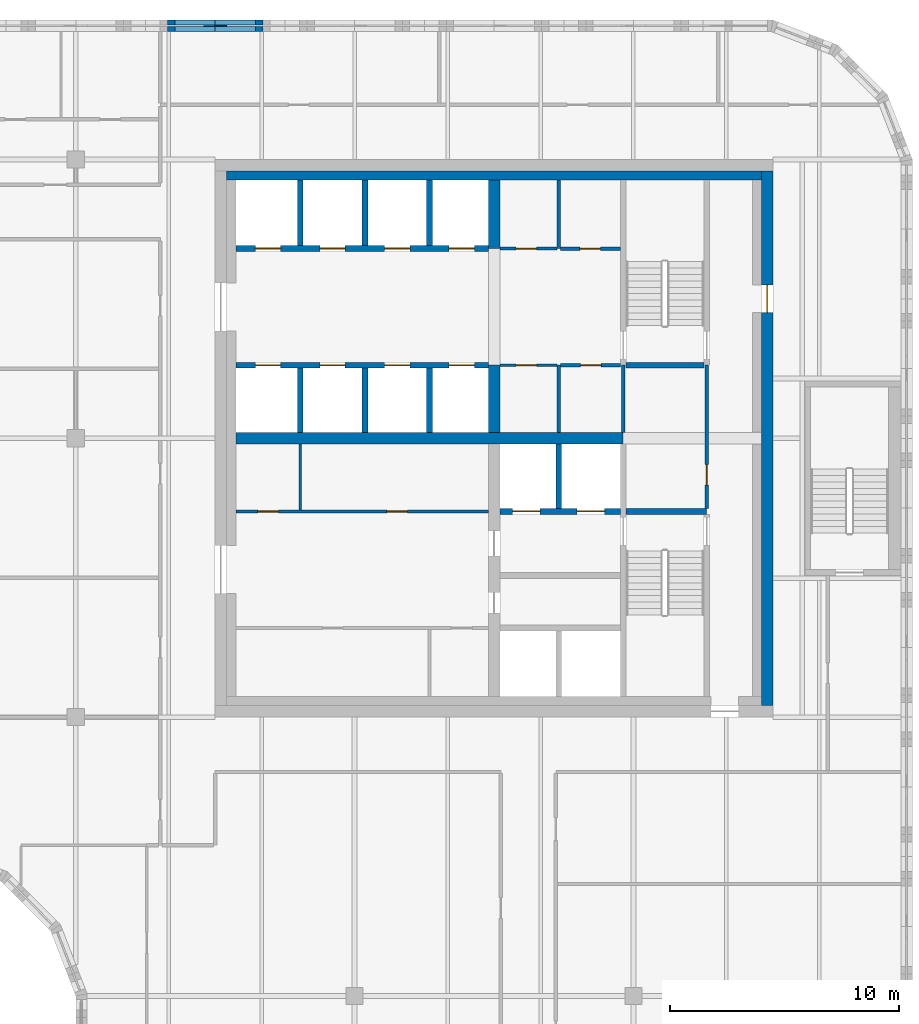
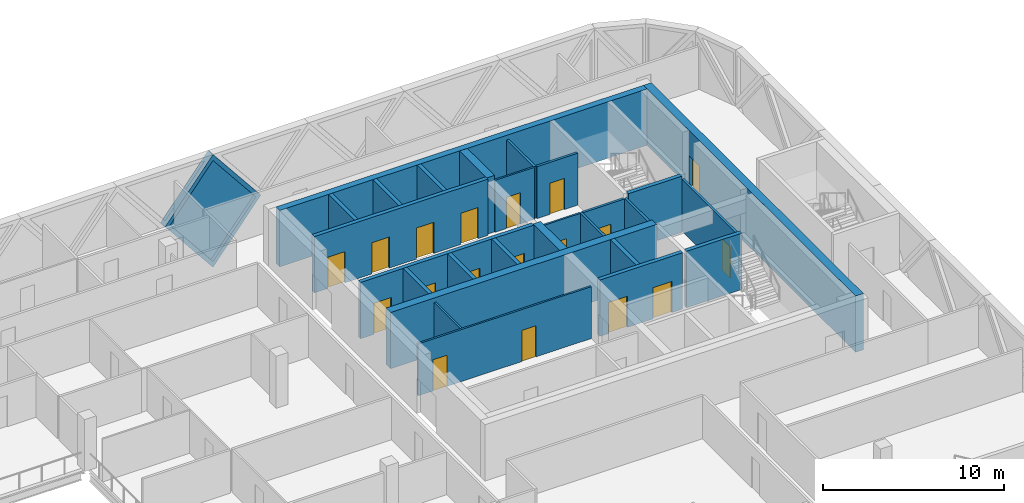
# One storey, part 11 of 15: 28 walls, 18 doors, 1 plate, 19 openings.
"""IFC4 building model written with IfcOpenShell, lengths in metres."""

from ifc_helpers import new_model, si_unit, direction, frame, frame_2d, origin, place, context, subcontext, project, spatial, polyline, rectangle, outline, extrude, source, transform, mapped, material, layer, layer_set, type_object, element, fill, save


model = new_model("IFC4")

# Units and contexts
model_context = context("Model", 3, precision=1e-05, world=origin(), true_north=direction((0.0, 1.0)))
body_context = subcontext(model_context, "Body", "Model", "MODEL_VIEW")
ifc_project = project(units=[si_unit("LENGTHUNIT", "METRE"), si_unit("AREAUNIT", "SQUARE_METRE"), si_unit("VOLUMEUNIT", "CUBIC_METRE"), si_unit("PLANEANGLEUNIT", "RADIAN"), si_unit("MASSUNIT", "GRAM", prefix="KILO")], contexts=[model_context])

# Site, building, storey
site_placement = place(None, origin())
site = spatial("IfcSite", under=ifc_project, at=site_placement, CompositionType="ELEMENT")
building_placement = place(site_placement, origin())
building = spatial("IfcBuilding", under=site, at=building_placement, Name="Tessera Gate Towers", CompositionType="ELEMENT")
storey_placement = place(building_placement, frame((0.0, 0.0, 228.300048828125)))
storey = spatial("IfcBuildingStorey", under=building, at=storey_placement, Name="L57", CompositionType="ELEMENT", Elevation=228.300048828125)

# Wall, openings, doors
ifc_material_1 = material(Name="Concrete C40/50", Category="concrete")
ifc_layer_1 = layer(ifc_material_1, 0.25)
ifc_layer_set_1 = layer_set([ifc_layer_1], Name="CORE ENCLOSURE WALL 250")
wall_type_1 = type_object("IfcWallType", Name="CORE ENCLOSURE WALL 250", PredefinedType="SOLIDWALL", material=ifc_layer_set_1)
wall_1_placement = place(storey_placement, frame((31.39990234375, 39.800048828125, 0.0), z_axis=(0.0, 0.0, 1.0), x_axis=(1.0, 0.0, 0.0)))
wall_1 = element("IfcWall", 1, at=wall_1_placement, inside=storey, type_object=wall_type_1, Name="L57 shaft and stair enclosure wall", PredefinedType="SOLIDWALL", context=body_context, shape_type="SweptSolid", body=[
    extrude(rectangle(XDim=11.050048828125, YDim=0.25, at=frame_2d((5.52490234375, 0.0))), origin(), (0.0, 0.0, 1.0), 3.800048828125),
])
shared_shape_1 = source(origin(), body_context, "Body", "SweptSolid", [
    extrude(rectangle(XDim=1.10009765625, YDim=2.10009765625, at=frame_2d((0.550048828125, 1.050048828125))), frame((0.0, 0.135009765625, 0.0), z_axis=(0.0, -1.0, 0.0), x_axis=(1.0, 0.0, 0.0)), (0.0, 0.0, 1.0), 0.27001953125),
])
opening_1_placement = place(wall_1_placement, frame((0.862548828125, 0.0, 0.0)))
opening_1 = element("IfcOpeningElement", 2, at=opening_1_placement, cuts=wall_1, Name="Opening LD-HR1", PredefinedType="OPENING", context=body_context, shape_type="MappedRepresentation", body=[
    mapped(shared_shape_1, transform((0.0, 0.0, 0.0), scale=1.0)),
])
opening_2_placement = place(wall_1_placement, frame((3.6875, 0.0, 0.0)))
opening_2 = element("IfcOpeningElement", 3, at=opening_2_placement, cuts=wall_1, Name="Opening LD-HR2", PredefinedType="OPENING", context=body_context, shape_type="MappedRepresentation", body=[
    mapped(shared_shape_1, transform((0.0, 0.0, 0.0), scale=1.0)),
])
opening_3_placement = place(wall_1_placement, frame((6.512451171875, 0.0, 0.0)))
opening_3 = element("IfcOpeningElement", 4, at=opening_3_placement, cuts=wall_1, Name="Opening LD-HR3", PredefinedType="OPENING", context=body_context, shape_type="MappedRepresentation", body=[
    mapped(shared_shape_1, transform((0.0, 0.0, 0.0), scale=1.0)),
])
opening_4_placement = place(wall_1_placement, frame((9.33740234375, 0.0, 0.0)))
opening_4 = element("IfcOpeningElement", 5, at=opening_4_placement, cuts=wall_1, Name="Opening LD-HR4", PredefinedType="OPENING", context=body_context, shape_type="MappedRepresentation", body=[
    mapped(shared_shape_1, transform((0.0, 0.0, 0.0), scale=1.0)),
])
ifc_material_2 = material(Name="Stainless steel", Category="steel")
door_type_1 = type_object("IfcDoorType", Name="CORE DOOR LD 1100x2100", OperationType="DOUBLE_DOOR_SLIDING", PredefinedType="DOOR", material=ifc_material_2)
shared_shape_2 = source(origin(), body_context, "Body", "SweptSolid", [
    extrude(rectangle(XDim=1.10009765625, YDim=2.10009765625, at=frame_2d((0.550048828125, 1.050048828125))), frame((0.0, 0.02490234375, 0.0), z_axis=(0.0, -1.0, 0.0), x_axis=(1.0, 0.0, 0.0)), (0.0, 0.0, 1.0), 0.050048828125),
])
door_1_placement = place(opening_1_placement, origin())
door_1 = element("IfcDoor", 6, at=door_1_placement, inside=storey, type_object=door_type_1, Name="Landing door HR1 L57", OperationType="DOUBLE_DOOR_SLIDING", OverallHeight=2.10009765625, OverallWidth=1.10009765625, PredefinedType="DOOR", context=body_context, shape_type="MappedRepresentation", body=[
    mapped(shared_shape_2, transform((0.0, 0.0, 0.0), scale=1.0)),
])
fill(opening_1, door_1)
door_2_placement = place(opening_2_placement, origin())
door_2 = element("IfcDoor", 7, at=door_2_placement, inside=storey, type_object=door_type_1, Name="Landing door HR2 L57", OperationType="DOUBLE_DOOR_SLIDING", OverallHeight=2.10009765625, OverallWidth=1.10009765625, PredefinedType="DOOR", context=body_context, shape_type="MappedRepresentation", body=[
    mapped(shared_shape_2, transform((0.0, 0.0, 0.0), scale=1.0)),
])
fill(opening_2, door_2)
door_3_placement = place(opening_3_placement, origin())
door_3 = element("IfcDoor", 8, at=door_3_placement, inside=storey, type_object=door_type_1, Name="Landing door HR3 L57", OperationType="DOUBLE_DOOR_SLIDING", OverallHeight=2.10009765625, OverallWidth=1.10009765625, PredefinedType="DOOR", context=body_context, shape_type="MappedRepresentation", body=[
    mapped(shared_shape_2, transform((0.0, 0.0, 0.0), scale=1.0)),
])
fill(opening_3, door_3)
door_4_placement = place(opening_4_placement, origin())
door_4 = element("IfcDoor", 9, at=door_4_placement, inside=storey, type_object=door_type_1, Name="Landing door HR4 L57", OperationType="DOUBLE_DOOR_SLIDING", OverallHeight=2.10009765625, OverallWidth=1.10009765625, PredefinedType="DOOR", context=body_context, shape_type="MappedRepresentation", body=[
    mapped(shared_shape_2, transform((0.0, 0.0, 0.0), scale=1.0)),
])
fill(opening_4, door_4)

wall_2_placement = place(storey_placement, frame((42.449951171875, 44.89990234375, 0.0), z_axis=(0.0, 0.0, 1.0), x_axis=(-1.0, 0.0, 0.0)))
wall_2 = element("IfcWall", 10, at=wall_2_placement, inside=storey, type_object=wall_type_1, Name="L57 shaft and stair enclosure wall", PredefinedType="SOLIDWALL", context=body_context, shape_type="SweptSolid", body=[
    extrude(rectangle(XDim=11.050048828125, YDim=0.25, at=frame_2d((5.52490234375, 0.0))), origin(), (0.0, 0.0, 1.0), 3.800048828125),
])
opening_5_placement = place(wall_2_placement, frame((9.08740234375, 0.0, 0.0)))
opening_5 = element("IfcOpeningElement", 11, at=opening_5_placement, cuts=wall_2, Name="Opening LD-HR5", PredefinedType="OPENING", context=body_context, shape_type="MappedRepresentation", body=[
    mapped(shared_shape_1, transform((0.0, 0.0, 0.0), scale=1.0)),
])
opening_6_placement = place(wall_2_placement, frame((6.262451171875, 0.0, 0.0)))
opening_6 = element("IfcOpeningElement", 12, at=opening_6_placement, cuts=wall_2, Name="Opening LD-HR6", PredefinedType="OPENING", context=body_context, shape_type="MappedRepresentation", body=[
    mapped(shared_shape_1, transform((0.0, 0.0, 0.0), scale=1.0)),
])
opening_7_placement = place(wall_2_placement, frame((3.4375, 0.0, 0.0)))
opening_7 = element("IfcOpeningElement", 13, at=opening_7_placement, cuts=wall_2, Name="Opening LD-HR7", PredefinedType="OPENING", context=body_context, shape_type="MappedRepresentation", body=[
    mapped(shared_shape_1, transform((0.0, 0.0, 0.0), scale=1.0)),
])
opening_8_placement = place(wall_2_placement, frame((0.612548828125, 0.0, 0.0)))
opening_8 = element("IfcOpeningElement", 14, at=opening_8_placement, cuts=wall_2, Name="Opening LD-HR8", PredefinedType="OPENING", context=body_context, shape_type="MappedRepresentation", body=[
    mapped(shared_shape_1, transform((0.0, 0.0, 0.0), scale=1.0)),
])
door_5_placement = place(opening_5_placement, origin())
door_5 = element("IfcDoor", 15, at=door_5_placement, inside=storey, type_object=door_type_1, Name="Landing door HR5 L57", OperationType="DOUBLE_DOOR_SLIDING", OverallHeight=2.10009765625, OverallWidth=1.10009765625, PredefinedType="DOOR", context=body_context, shape_type="MappedRepresentation", body=[
    mapped(shared_shape_2, transform((0.0, 0.0, 0.0), scale=1.0)),
])
fill(opening_5, door_5)
door_6_placement = place(opening_6_placement, origin())
door_6 = element("IfcDoor", 16, at=door_6_placement, inside=storey, type_object=door_type_1, Name="Landing door HR6 L57", OperationType="DOUBLE_DOOR_SLIDING", OverallHeight=2.10009765625, OverallWidth=1.10009765625, PredefinedType="DOOR", context=body_context, shape_type="MappedRepresentation", body=[
    mapped(shared_shape_2, transform((0.0, 0.0, 0.0), scale=1.0)),
])
fill(opening_6, door_6)
door_7_placement = place(opening_7_placement, origin())
door_7 = element("IfcDoor", 17, at=door_7_placement, inside=storey, type_object=door_type_1, Name="Landing door HR7 L57", OperationType="DOUBLE_DOOR_SLIDING", OverallHeight=2.10009765625, OverallWidth=1.10009765625, PredefinedType="DOOR", context=body_context, shape_type="MappedRepresentation", body=[
    mapped(shared_shape_2, transform((0.0, 0.0, 0.0), scale=1.0)),
])
fill(opening_7, door_7)
door_8_placement = place(opening_8_placement, origin())
door_8 = element("IfcDoor", 18, at=door_8_placement, inside=storey, type_object=door_type_1, Name="Landing door HR8 L57", OperationType="DOUBLE_DOOR_SLIDING", OverallHeight=2.10009765625, OverallWidth=1.10009765625, PredefinedType="DOOR", context=body_context, shape_type="MappedRepresentation", body=[
    mapped(shared_shape_2, transform((0.0, 0.0, 0.0), scale=1.0)),
])
fill(opening_8, door_8)

wall_3_placement = place(storey_placement, frame((48.22509765625, 33.39990234375, 0.0), z_axis=(0.0, 0.0, 1.0), x_axis=(-1.0, 0.0, 0.0)))
wall_3 = element("IfcWall", 19, at=wall_3_placement, inside=storey, type_object=wall_type_1, Name="L57 shaft and stair enclosure wall", PredefinedType="SOLIDWALL", context=body_context, shape_type="SweptSolid", body=[
    extrude(rectangle(XDim=5.275146484375, YDim=0.25, at=frame_2d((2.6376953125, 0.0))), origin(), (0.0, 0.0, 1.0), 3.800048828125),
])
shared_shape_3 = source(origin(), body_context, "Body", "SweptSolid", [
    extrude(rectangle(XDim=1.199951171875, YDim=2.10009765625, at=frame_2d((0.60009765625, 1.050048828125))), frame((0.0, 0.135009765625, 0.0), z_axis=(0.0, -1.0, 0.0), x_axis=(1.0, 0.0, 0.0)), (0.0, 0.0, 1.0), 0.27001953125),
])
opening_9_placement = place(wall_3_placement, frame((3.512451171875, 0.0, 0.0)))
opening_9 = element("IfcOpeningElement", 20, at=opening_9_placement, cuts=wall_3, Name="Opening LD-FF1", PredefinedType="OPENING", context=body_context, shape_type="MappedRepresentation", body=[
    mapped(shared_shape_3, transform((0.0, 0.0, 0.0), scale=1.0)),
])
opening_10_placement = place(wall_3_placement, frame((0.6875, 0.0, 0.0)))
opening_10 = element("IfcOpeningElement", 21, at=opening_10_placement, cuts=wall_3, Name="Opening LD-FF2", PredefinedType="OPENING", context=body_context, shape_type="MappedRepresentation", body=[
    mapped(shared_shape_3, transform((0.0, 0.0, 0.0), scale=1.0)),
])
ifc_material_3 = material(Name="Stainless steel", Category="steel")
door_type_2 = type_object("IfcDoorType", Name="CORE DOOR LD1200 1200x2100", OperationType="DOUBLE_DOOR_SLIDING", PredefinedType="DOOR", material=ifc_material_3)
shared_shape_4 = source(origin(), body_context, "Body", "SweptSolid", [
    extrude(rectangle(XDim=1.199951171875, YDim=2.10009765625, at=frame_2d((0.60009765625, 1.050048828125))), frame((0.0, 0.02490234375, 0.0), z_axis=(0.0, -1.0, 0.0), x_axis=(1.0, 0.0, 0.0)), (0.0, 0.0, 1.0), 0.050048828125),
])
door_9_placement = place(opening_9_placement, origin())
door_9 = element("IfcDoor", 22, at=door_9_placement, inside=storey, type_object=door_type_2, Name="Landing door FF1 L57", OperationType="DOUBLE_DOOR_SLIDING", OverallHeight=2.10009765625, OverallWidth=1.199951171875, PredefinedType="DOOR", context=body_context, shape_type="MappedRepresentation", body=[
    mapped(shared_shape_4, transform((0.0, 0.0, 0.0), scale=1.0)),
])
fill(opening_9, door_9)
door_10_placement = place(opening_10_placement, origin())
door_10 = element("IfcDoor", 23, at=door_10_placement, inside=storey, type_object=door_type_2, Name="Landing door FF2 L57", OperationType="DOUBLE_DOOR_SLIDING", OverallHeight=2.10009765625, OverallWidth=1.199951171875, PredefinedType="DOOR", context=body_context, shape_type="MappedRepresentation", body=[
    mapped(shared_shape_4, transform((0.0, 0.0, 0.0), scale=1.0)),
])
fill(opening_10, door_10)

# Walls
wall_4_placement = place(storey_placement, frame((48.47509765625, 33.39990234375, 0.0), z_axis=(0.0, 0.0, 1.0), x_axis=(1.0, 0.0, 0.0)))
element("IfcWall", 24, at=wall_4_placement, inside=storey, type_object=wall_type_1, Name="L57 shaft and stair enclosure wall", PredefinedType="SOLIDWALL", context=body_context, shape_type="SweptSolid", body=[
    extrude(rectangle(XDim=3.52490234375, YDim=0.25, at=frame_2d((1.762451171875, 0.0))), origin(), (0.0, 0.0, 1.0), 3.800048828125),
])
wall_5_placement = place(storey_placement, frame((48.47509765625, 39.800048828125, 0.0), z_axis=(0.0, 0.0, 1.0), x_axis=(1.0, 0.0, 0.0)))
element("IfcWall", 25, at=wall_5_placement, inside=storey, type_object=wall_type_1, Name="L57 shaft and stair enclosure wall", PredefinedType="SOLIDWALL", context=body_context, shape_type="SweptSolid", body=[
    extrude(rectangle(XDim=3.39990234375, YDim=0.25, at=frame_2d((1.699951171875, 0.0))), origin(), (0.0, 0.0, 1.0), 3.800048828125),
])
for number, where, z_axis, x_axis, name in (
    (26, (34.22509765625, 36.85009765625, 0.0), (0.0, 0.0, 1.0), (0.0, 1.0, 0.0), "L57 shaft and stair enclosure wall"),
    (27, (37.050048828125, 36.85009765625, 0.0), (0.0, 0.0, 1.0), (0.0, 1.0, 0.0), "L57 shaft and stair enclosure wall"),
    (28, (39.875, 36.85009765625, 0.0), (0.0, 0.0, 1.0), (0.0, 1.0, 0.0), "L57 shaft and stair enclosure wall"),
):
    element("IfcWall", number, at=place(storey_placement, frame(where, z_axis=z_axis, x_axis=x_axis)), inside=storey, type_object=wall_type_1, Name=name, PredefinedType="SOLIDWALL", context=body_context, shape_type="SweptSolid", body=[
        extrude(rectangle(XDim=2.824951171875, YDim=0.25, at=frame_2d((1.41259765625, 0.0))), origin(), (0.0, 0.0, 1.0), 3.800048828125),
    ])
wall_6_placement = place(storey_placement, frame((45.52490234375, 33.52490234375, 0.0), z_axis=(0.0, 0.0, 1.0), x_axis=(0.0, 1.0, 0.0)))
element("IfcWall", 29, at=wall_6_placement, inside=storey, type_object=wall_type_1, Name="L57 shaft and stair enclosure wall", PredefinedType="SOLIDWALL", context=body_context, shape_type="SweptSolid", body=[
    extrude(rectangle(XDim=2.8251953125, YDim=0.25, at=frame_2d((1.41259765625, 0.0))), origin(), (0.0, 0.0, 1.0), 3.800048828125),
])
for number, where, z_axis, x_axis, name in (
    (30, (34.22509765625, 45.02490234375, 0.0), (0.0, 0.0, 1.0), (0.0, 1.0, 0.0), "L57 shaft and stair enclosure wall"),
    (31, (37.050048828125, 45.02490234375, 0.0), (0.0, 0.0, 1.0), (0.0, 1.0, 0.0), "L57 shaft and stair enclosure wall"),
    (32, (39.875, 45.02490234375, 0.0), (0.0, 0.0, 1.0), (0.0, 1.0, 0.0), "L57 shaft and stair enclosure wall"),
):
    element("IfcWall", number, at=place(storey_placement, frame(where, z_axis=z_axis, x_axis=x_axis)), inside=storey, type_object=wall_type_1, Name=name, PredefinedType="SOLIDWALL", context=body_context, shape_type="SweptSolid", body=[
        extrude(rectangle(XDim=2.875, YDim=0.25, at=frame_2d((1.4375, 0.0))), origin(), (0.0, 0.0, 1.0), 3.800048828125),
    ])

# Wall, openings, doors
ifc_material_4 = material(Name="Gypsum board on steel studs", Category="steel")
ifc_layer_2 = layer(ifc_material_4, 0.1201171875)
ifc_layer_set_2 = layer_set([ifc_layer_2], Name="CORE PARTITION 120")
wall_type_2 = type_object("IfcWallType", Name="CORE PARTITION 120", PredefinedType="PARTITIONING", material=ifc_layer_set_2)
wall_7_placement = place(storey_placement, frame((31.39990234375, 33.39990234375, 0.0), z_axis=(0.0, 0.0, 1.0), x_axis=(1.0, 0.0, 0.0)))
wall_7 = element("IfcWall", 33, at=wall_7_placement, inside=storey, type_object=wall_type_2, Name="L57 core partition", PredefinedType="PARTITIONING", context=body_context, shape_type="SweptSolid", body=[
    extrude(rectangle(XDim=11.050048828125, YDim=0.1201171875, at=frame_2d((5.52490234375, 0.0))), origin(), (0.0, 0.0, 1.0), 3.5),
])
shared_shape_5 = source(origin(), body_context, "Body", "SweptSolid", [
    extrude(rectangle(XDim=0.89990234375, YDim=2.10009765625, at=frame_2d((0.449951171875, 1.050048828125))), frame((0.0, 0.070068359375, 0.0), z_axis=(0.0, -1.0, 0.0), x_axis=(1.0, 0.0, 0.0)), (0.0, 0.0, 1.0), 0.14013671875),
])
opening_11_placement = place(wall_7_placement, frame((0.96240234375, 0.0, 0.0)))
opening_11 = element("IfcOpeningElement", 34, at=opening_11_placement, cuts=wall_7, Name="Opening RD-T1-34-09", PredefinedType="OPENING", context=body_context, shape_type="MappedRepresentation", body=[
    mapped(shared_shape_5, transform((0.0, 0.0, 0.0), scale=1.0)),
])
opening_12_placement = place(wall_7_placement, frame((6.612548828125, 0.0, 0.0)))
opening_12 = element("IfcOpeningElement", 35, at=opening_12_placement, cuts=wall_7, Name="Opening RD-T1-34-10", PredefinedType="OPENING", context=body_context, shape_type="MappedRepresentation", body=[
    mapped(shared_shape_5, transform((0.0, 0.0, 0.0), scale=1.0)),
])
ifc_material_5 = material(Name="Hollow steel fire door", Category="steel")
door_type_3 = type_object("IfcDoorType", Name="CORE DOOR RD 900x2100", OperationType="NOTDEFINED", PredefinedType="DOOR", material=ifc_material_5)
shared_shape_6 = source(origin(), body_context, "Body", "SweptSolid", [
    extrude(rectangle(XDim=0.89990234375, YDim=2.10009765625, at=frame_2d((0.449951171875, 1.050048828125))), frame((0.0, 0.02490234375, 0.0), z_axis=(0.0, -1.0, 0.0), x_axis=(1.0, 0.0, 0.0)), (0.0, 0.0, 1.0), 0.050048828125),
])
door_11_placement = place(opening_11_placement, origin())
door_11 = element("IfcDoor", 36, at=door_11_placement, inside=storey, type_object=door_type_3, Name="Core room door", OperationType="SINGLE_SWING_LEFT", OverallHeight=2.10009765625, OverallWidth=0.89990234375, PredefinedType="DOOR", context=body_context, shape_type="MappedRepresentation", body=[
    mapped(shared_shape_6, transform((0.0, 0.0, 0.0), scale=1.0)),
])
fill(opening_11, door_11)
door_12_placement = place(opening_12_placement, origin())
door_12 = element("IfcDoor", 37, at=door_12_placement, inside=storey, type_object=door_type_3, Name="Core room door", OperationType="SINGLE_SWING_RIGHT", OverallHeight=2.10009765625, OverallWidth=0.89990234375, PredefinedType="DOOR", context=body_context, shape_type="MappedRepresentation", body=[
    mapped(shared_shape_6, transform((0.0, 0.0, 0.0), scale=1.0)),
])
fill(opening_12, door_12)

# Wall
wall_8_placement = place(storey_placement, frame((34.22509765625, 33.4599609375, 0.0), z_axis=(0.0, 0.0, 1.0), x_axis=(0.0, 1.0, 0.0)))
element("IfcWall", 38, at=wall_8_placement, inside=storey, type_object=wall_type_2, Name="L57 core partition", PredefinedType="PARTITIONING", context=body_context, shape_type="SweptSolid", body=[
    extrude(rectangle(XDim=2.89013671875, YDim=0.1201171875, at=frame_2d((1.445068359375, 0.0))), origin(), (0.0, 0.0, 1.0), 3.5),
])

# Wall, opening, door
wall_9_placement = place(storey_placement, frame((45.449951171875, 39.800048828125, 0.0), z_axis=(0.0, 0.0, 1.0), x_axis=(-1.0, 0.0, 0.0)))
wall_9 = element("IfcWall", 39, at=wall_9_placement, inside=storey, type_object=wall_type_2, Name="L57 core partition", PredefinedType="PARTITIONING", context=body_context, shape_type="SweptSolid", body=[
    extrude(rectangle(XDim=2.5, YDim=0.1201171875, at=frame_2d((1.25, 0.0))), origin(), (0.0, 0.0, 1.0), 3.5),
])
opening_13_placement = place(wall_9_placement, frame((0.887451171875, 0.0, 0.0)))
opening_13 = element("IfcOpeningElement", 40, at=opening_13_placement, cuts=wall_9, Name="Opening RD-T1-34-12", PredefinedType="OPENING", context=body_context, shape_type="MappedRepresentation", body=[
    mapped(shared_shape_5, transform((0.0, 0.0, 0.0), scale=1.0)),
])
door_13_placement = place(opening_13_placement, origin())
door_13 = element("IfcDoor", 41, at=door_13_placement, inside=storey, type_object=door_type_3, Name="Core room door", OperationType="SINGLE_SWING_RIGHT", OverallHeight=2.10009765625, OverallWidth=0.89990234375, PredefinedType="DOOR", context=body_context, shape_type="MappedRepresentation", body=[
    mapped(shared_shape_6, transform((0.0, 0.0, 0.0), scale=1.0)),
])
fill(opening_13, door_13)

wall_10_placement = place(storey_placement, frame((42.949951171875, 44.89990234375, 0.0), z_axis=(0.0, 0.0, 1.0), x_axis=(1.0, 0.0, 0.0)))
wall_10 = element("IfcWall", 42, at=wall_10_placement, inside=storey, type_object=wall_type_2, Name="L57 core partition", PredefinedType="PARTITIONING", context=body_context, shape_type="SweptSolid", body=[
    extrude(rectangle(XDim=2.5, YDim=0.1201171875, at=frame_2d((1.25, 0.0))), origin(), (0.0, 0.0, 1.0), 3.5),
])
opening_14_placement = place(wall_10_placement, frame((0.71240234375, 0.0, 0.0)))
opening_14 = element("IfcOpeningElement", 43, at=opening_14_placement, cuts=wall_10, Name="Opening RD-T1-34-14", PredefinedType="OPENING", context=body_context, shape_type="MappedRepresentation", body=[
    mapped(shared_shape_5, transform((0.0, 0.0, 0.0), scale=1.0)),
])
door_14_placement = place(opening_14_placement, origin())
door_14 = element("IfcDoor", 44, at=door_14_placement, inside=storey, type_object=door_type_3, Name="Core room door", OperationType="SINGLE_SWING_LEFT", OverallHeight=2.10009765625, OverallWidth=0.89990234375, PredefinedType="DOOR", context=body_context, shape_type="MappedRepresentation", body=[
    mapped(shared_shape_6, transform((0.0, 0.0, 0.0), scale=1.0)),
])
fill(opening_14, door_14)

ifc_material_6 = material(Name="Concrete C50/60", Category="concrete")
ifc_layer_3 = layer(ifc_material_6, 0.5)
ifc_layer_set_3 = layer_set([ifc_layer_3], Name="CORE SHEAR WALL 500 C50/60")
wall_type_3 = type_object("IfcWallType", Name="CORE SHEAR WALL 500 C50/60", PredefinedType="SHEAR", material=ifc_layer_set_3)
wall_11_placement = place(storey_placement, frame((54.64990234375, 48.300048828125, 0.0), z_axis=(0.0, 0.0, 1.0), x_axis=(0.0, -1.0, 0.0)))
wall_11 = element("IfcWall", 45, at=wall_11_placement, inside=storey, type_object=wall_type_3, Name="Core wall E L57", PredefinedType="SHEAR", context=body_context, shape_type="SweptSolid", body=[
    extrude(rectangle(XDim=23.400146484375, YDim=0.5, at=frame_2d((11.7001953125, 0.0))), origin(), (0.0, 0.0, 1.0), 3.800048828125),
])
shared_shape_7 = source(origin(), body_context, "Body", "SweptSolid", [
    extrude(rectangle(XDim=1.199951171875, YDim=2.10009765625, at=frame_2d((0.60009765625, 1.050048828125))), frame((0.0, 0.260009765625, 0.0), z_axis=(0.0, -1.0, 0.0), x_axis=(1.0, 0.0, 0.0)), (0.0, 0.0, 1.0), 0.52001953125),
])
opening_15_placement = place(wall_11_placement, frame((5.0, 0.0, 0.0)))
opening_15 = element("IfcOpeningElement", 46, at=opening_15_placement, cuts=wall_11, Name="Opening ED-T1-34-04", PredefinedType="OPENING", context=body_context, shape_type="MappedRepresentation", body=[
    mapped(shared_shape_7, transform((0.0, 0.0, 0.0), scale=1.0)),
])
ifc_material_7 = material(Name="Hollow steel fire door", Category="steel")
door_type_4 = type_object("IfcDoorType", Name="CORE DOOR ED 1200x2100", OperationType="NOTDEFINED", PredefinedType="DOOR", material=ifc_material_7)
door_15_placement = place(opening_15_placement, origin())
door_15 = element("IfcDoor", 47, at=door_15_placement, inside=storey, type_object=door_type_4, Name="Core exit door", OperationType="SINGLE_SWING_LEFT", OverallHeight=2.10009765625, OverallWidth=1.199951171875, PredefinedType="DOOR", context=body_context, shape_type="MappedRepresentation", body=[
    mapped(shared_shape_4, transform((0.0, 0.0, 0.0), scale=1.0)),
])
fill(opening_15, door_15)

# Walls
ifc_material_8 = material(Name="Concrete C50/60", Category="concrete")
ifc_layer_4 = layer(ifc_material_8, 0.5)
ifc_layer_set_4 = layer_set([ifc_layer_4], Name="CORE SPINE WALL 500 C50/60")
wall_type_4 = type_object("IfcWallType", Name="CORE SPINE WALL 500 C50/60", PredefinedType="SHEAR", material=ifc_layer_set_4)
wall_12_placement = place(storey_placement, frame((31.39990234375, 36.60009765625, 0.0), z_axis=(0.0, 0.0, 1.0), x_axis=(1.0, 0.0, 0.0)))
element("IfcWall", 48, at=wall_12_placement, inside=storey, type_object=wall_type_4, Name="Core wall spine L57", PredefinedType="SHEAR", context=body_context, shape_type="SweptSolid", body=[
    extrude(rectangle(XDim=16.9501953125, YDim=0.5, at=frame_2d((8.47509765625, 0.0))), origin(), (0.0, 0.0, 1.0), 3.800048828125),
])
wall_13_placement = place(storey_placement, frame((42.699951171875, 36.85009765625, 0.0), z_axis=(0.0, 0.0, 1.0), x_axis=(0.0, 1.0, 0.0)))
element("IfcWall", 49, at=wall_13_placement, inside=storey, type_object=wall_type_4, Name="Core wall spine L57", PredefinedType="SHEAR", context=body_context, shape_type="SweptSolid", body=[
    extrude(rectangle(XDim=2.949951171875, YDim=0.5, at=frame_2d((1.47509765625, 0.0))), origin(), (0.0, 0.0, 1.0), 3.800048828125),
])
wall_14_placement = place(storey_placement, frame((42.699951171875, 44.89990234375, 0.0), z_axis=(0.0, 0.0, 1.0), x_axis=(0.0, 1.0, 0.0)))
element("IfcWall", 50, at=wall_14_placement, inside=storey, type_object=wall_type_4, Name="Core wall spine L57", PredefinedType="SHEAR", context=body_context, shape_type="SweptSolid", body=[
    extrude(rectangle(XDim=3.0, YDim=0.5, at=frame_2d((1.5, 0.0))), origin(), (0.0, 0.0, 1.0), 3.800048828125),
])
ifc_material_9 = material(Name="Concrete C50/60", Category="concrete")
ifc_layer_5 = layer(ifc_material_9, 0.39990234375)
ifc_layer_set_5 = layer_set([ifc_layer_5], Name="CORE WALL THICKENING 400")
wall_type_5 = type_object("IfcWallType", Name="CORE WALL THICKENING 400", PredefinedType="SOLIDWALL", material=ifc_layer_set_5)
wall_15_placement = place(storey_placement, frame((31.0, 48.10009765625, 0.0), z_axis=(0.0, 0.0, 1.0), x_axis=(1.0, 0.0, 0.0)))
element("IfcWall", 51, at=wall_15_placement, inside=storey, type_object=wall_type_5, Name="Core wall thickening N L57", PredefinedType="SOLIDWALL", context=body_context, shape_type="SweptSolid", body=[
    extrude(rectangle(XDim=23.39990234375, YDim=0.39990234375, at=frame_2d((11.699951171875, 0.0))), origin(), (0.0, 0.0, 1.0), 3.800048828125),
])

# Wall, opening, door
ifc_material_10 = material(Name="Gypsum board on steel studs", Category="steel")
ifc_layer_6 = layer(ifc_material_10, 0.14990234375)
ifc_layer_set_6 = layer_set([ifc_layer_6], Name="SERVICE ROOM WALL 150")
wall_type_6 = type_object("IfcWallType", Name="SERVICE ROOM WALL 150", PredefinedType="PARTITIONING", material=ifc_layer_set_6)
wall_16_placement = place(storey_placement, frame((52.0, 33.52490234375, 0.0), z_axis=(0.0, 0.0, 1.0), x_axis=(0.0, 1.0, 0.0)))
wall_16 = element("IfcWall", 52, at=wall_16_placement, inside=storey, type_object=wall_type_6, Name="L57 service room wall", PredefinedType="PARTITIONING", context=body_context, shape_type="SweptSolid", body=[
    extrude(rectangle(XDim=6.275146484375, YDim=0.14990234375, at=frame_2d((3.1376953125, 0.0))), origin(), (0.0, 0.0, 1.0), 3.5),
])
shared_shape_8 = source(origin(), body_context, "Body", "SweptSolid", [
    extrude(rectangle(XDim=0.89990234375, YDim=2.10009765625, at=frame_2d((0.449951171875, 1.050048828125))), frame((0.0, 0.0849609375, 0.0), z_axis=(0.0, -1.0, 0.0), x_axis=(1.0, 0.0, 0.0)), (0.0, 0.0, 1.0), 0.169921875),
])
opening_16_placement = place(wall_16_placement, frame((1.02490234375, 0.0, 0.0)))
opening_16 = element("IfcOpeningElement", 53, at=opening_16_placement, cuts=wall_16, Name="Opening RD-T1-34-11", PredefinedType="OPENING", context=body_context, shape_type="MappedRepresentation", body=[
    mapped(shared_shape_8, transform((0.0, 0.0, 0.0), scale=1.0)),
])
door_16_placement = place(opening_16_placement, origin())
door_16 = element("IfcDoor", 54, at=door_16_placement, inside=storey, type_object=door_type_3, Name="Core room door", OperationType="SINGLE_SWING_LEFT", OverallHeight=2.10009765625, OverallWidth=0.89990234375, PredefinedType="DOOR", context=body_context, shape_type="MappedRepresentation", body=[
    mapped(shared_shape_6, transform((0.0, 0.0, 0.0), scale=1.0)),
])
fill(opening_16, door_16)

# Walls
for number, where, z_axis, x_axis, name in (
    (55, (45.52490234375, 36.85009765625, 0.0), (0.0, 0.0, 1.0), (0.0, 1.0, 0.0), "L57 service room wall"),
    (56, (48.35009765625, 36.85009765625, 0.0), (0.0, 0.0, 1.0), (0.0, 1.0, 0.0), "L57 service room wall"),
):
    element("IfcWall", number, at=place(storey_placement, frame(where, z_axis=z_axis, x_axis=x_axis)), inside=storey, type_object=wall_type_6, Name=name, PredefinedType="PARTITIONING", context=body_context, shape_type="SweptSolid", body=[
        extrude(rectangle(XDim=2.949951171875, YDim=0.14990234375, at=frame_2d((1.47509765625, 0.0))), origin(), (0.0, 0.0, 1.0), 3.5),
    ])
wall_17_placement = place(storey_placement, frame((45.52490234375, 44.89990234375, 0.0), z_axis=(0.0, 0.0, 1.0), x_axis=(0.0, 1.0, 0.0)))
element("IfcWall", 57, at=wall_17_placement, inside=storey, type_object=wall_type_6, Name="L57 service room wall", PredefinedType="PARTITIONING", context=body_context, shape_type="SweptSolid", body=[
    extrude(rectangle(XDim=3.0, YDim=0.14990234375, at=frame_2d((1.5, 0.0))), origin(), (0.0, 0.0, 1.0), 3.5),
])

# Wall, opening, door
wall_18_placement = place(storey_placement, frame((48.22509765625, 39.800048828125, 0.0), z_axis=(0.0, 0.0, 1.0), x_axis=(-1.0, 0.0, 0.0)))
wall_18 = element("IfcWall", 58, at=wall_18_placement, inside=storey, type_object=wall_type_6, Name="L57 service room wall", PredefinedType="PARTITIONING", context=body_context, shape_type="SweptSolid", body=[
    extrude(rectangle(XDim=2.625, YDim=0.14990234375, at=frame_2d((1.3125, 0.0))), origin(), (0.0, 0.0, 1.0), 3.5),
])
opening_17_placement = place(wall_18_placement, frame((0.83740234375, 0.0, 0.0)))
opening_17 = element("IfcOpeningElement", 59, at=opening_17_placement, cuts=wall_18, Name="Opening RD-T1-34-13", PredefinedType="OPENING", context=body_context, shape_type="MappedRepresentation", body=[
    mapped(shared_shape_8, transform((0.0, 0.0, 0.0), scale=1.0)),
])
door_17_placement = place(opening_17_placement, origin())
door_17 = element("IfcDoor", 60, at=door_17_placement, inside=storey, type_object=door_type_3, Name="Core room door", OperationType="SINGLE_SWING_LEFT", OverallHeight=2.10009765625, OverallWidth=0.89990234375, PredefinedType="DOOR", context=body_context, shape_type="MappedRepresentation", body=[
    mapped(shared_shape_6, transform((0.0, 0.0, 0.0), scale=1.0)),
])
fill(opening_17, door_17)

wall_19_placement = place(storey_placement, frame((45.60009765625, 44.89990234375, 0.0), z_axis=(0.0, 0.0, 1.0), x_axis=(1.0, 0.0, 0.0)))
wall_19 = element("IfcWall", 61, at=wall_19_placement, inside=storey, type_object=wall_type_6, Name="L57 service room wall", PredefinedType="PARTITIONING", context=body_context, shape_type="SweptSolid", body=[
    extrude(rectangle(XDim=2.625, YDim=0.14990234375, at=frame_2d((1.3125, 0.0))), origin(), (0.0, 0.0, 1.0), 3.5),
])
opening_18_placement = place(wall_19_placement, frame((0.85009765625, 0.0, 0.0)))
opening_18 = element("IfcOpeningElement", 62, at=opening_18_placement, cuts=wall_19, Name="Opening RD-T1-34-15", PredefinedType="OPENING", context=body_context, shape_type="MappedRepresentation", body=[
    mapped(shared_shape_8, transform((0.0, 0.0, 0.0), scale=1.0)),
])
door_18_placement = place(opening_18_placement, origin())
door_18 = element("IfcDoor", 63, at=door_18_placement, inside=storey, type_object=door_type_3, Name="Core room door", OperationType="SINGLE_SWING_LEFT", OverallHeight=2.10009765625, OverallWidth=0.89990234375, PredefinedType="DOOR", context=body_context, shape_type="MappedRepresentation", body=[
    mapped(shared_shape_6, transform((0.0, 0.0, 0.0), scale=1.0)),
])
fill(opening_18, door_18)

# Wall, opening, plate
ifc_material_11 = material(Name="Precast concrete C60/75 white", Category="concrete")
ifc_layer_7 = layer(ifc_material_11, 0.5)
ifc_layer_set_7 = layer_set([ifc_layer_7], Name="TS1 tessera")
wall_type_7 = type_object("IfcWallType", Name="TS1 tessera", PredefinedType="SOLIDWALL", material=ifc_layer_set_7)
shared_shape_9 = source(origin(), body_context, "Body", "SweptSolid", [
    extrude(outline(polyline([(3.050048828125, 0.0), (6.10009765625, 3.800048828125), (3.050048828125, 7.60009765625), (0.0, 3.800048828125), (3.050048828125, 0.0)])), frame((0.0, 0.25, 0.0), z_axis=(0.0, -1.0, 0.0), x_axis=(1.0, 0.0, 0.0)), (0.0, 0.0, 1.0), 0.5),
])
wall_20_placement = place(storey_placement, frame((33.550048828125, 54.64990234375, -3.800048828125), z_axis=(0.0, 0.0, 1.0), x_axis=(-1.0, 0.0, 0.0)))
wall_20 = element("IfcWall", 64, at=wall_20_placement, inside=storey, type_object=wall_type_7, Name="Precast tessera T1 TS1-1025", PredefinedType="SOLIDWALL", context=body_context, shape_type="MappedRepresentation", body=[
    mapped(shared_shape_9, transform((0.0, 0.0, 0.0), scale=1.0)),
])
shared_shape_10 = source(origin(), body_context, "Body", "SweptSolid", [
    extrude(outline(polyline([(3.050048828125, 0.3994140625), (5.779541015625, 3.800048828125), (3.050048828125, 7.20068359375), (0.320556640625, 3.800048828125), (3.050048828125, 0.3994140625)])), frame((0.0, 0.260009765625, 0.0), z_axis=(0.0, -1.0, 0.0), x_axis=(1.0, 0.0, 0.0)), (0.0, 0.0, 1.0), 0.52001953125),
])
opening_19_placement = place(wall_20_placement, origin())
opening_19 = element("IfcOpeningElement", 65, at=opening_19_placement, cuts=wall_20, Name="Opening T1-PL2-2091", PredefinedType="OPENING", context=body_context, shape_type="MappedRepresentation", body=[
    mapped(shared_shape_10, transform((0.0, 0.0, 0.0), scale=1.0)),
])
ifc_material_12 = material(Name="Low-e laminated glass", Category="glass")
ifc_layer_8 = layer(ifc_material_12, 0.06005859375)
ifc_layer_set_8 = layer_set([ifc_layer_8], Name="PL2 rhombic pane")
plate_type = type_object("IfcPlateType", Name="PL2 rhombic pane", PredefinedType="SHEET", material=ifc_layer_set_8)
shared_shape_11 = source(origin(), body_context, "Body", "SweptSolid", [
    extrude(outline(polyline([(3.050048828125, 0.3994140625), (5.779541015625, 3.800048828125), (3.050048828125, 7.20068359375), (0.320556640625, 3.800048828125), (3.050048828125, 0.3994140625)])), frame((0.0, 0.030029296875, 0.0), z_axis=(0.0, -1.0, 0.0), x_axis=(1.0, 0.0, 0.0)), (0.0, 0.0, 1.0), 0.06005859375),
])
plate_placement = place(opening_19_placement, origin())
plate = element("IfcPlate", 66, at=plate_placement, inside=storey, type_object=plate_type, Name="Glass pane T1 PL2-2091", PredefinedType="SHEET", context=body_context, shape_type="MappedRepresentation", body=[
    mapped(shared_shape_11, transform((0.0, 0.0, 0.0), scale=1.0)),
])
fill(opening_19, plate)

save(model, "model.ifc")
